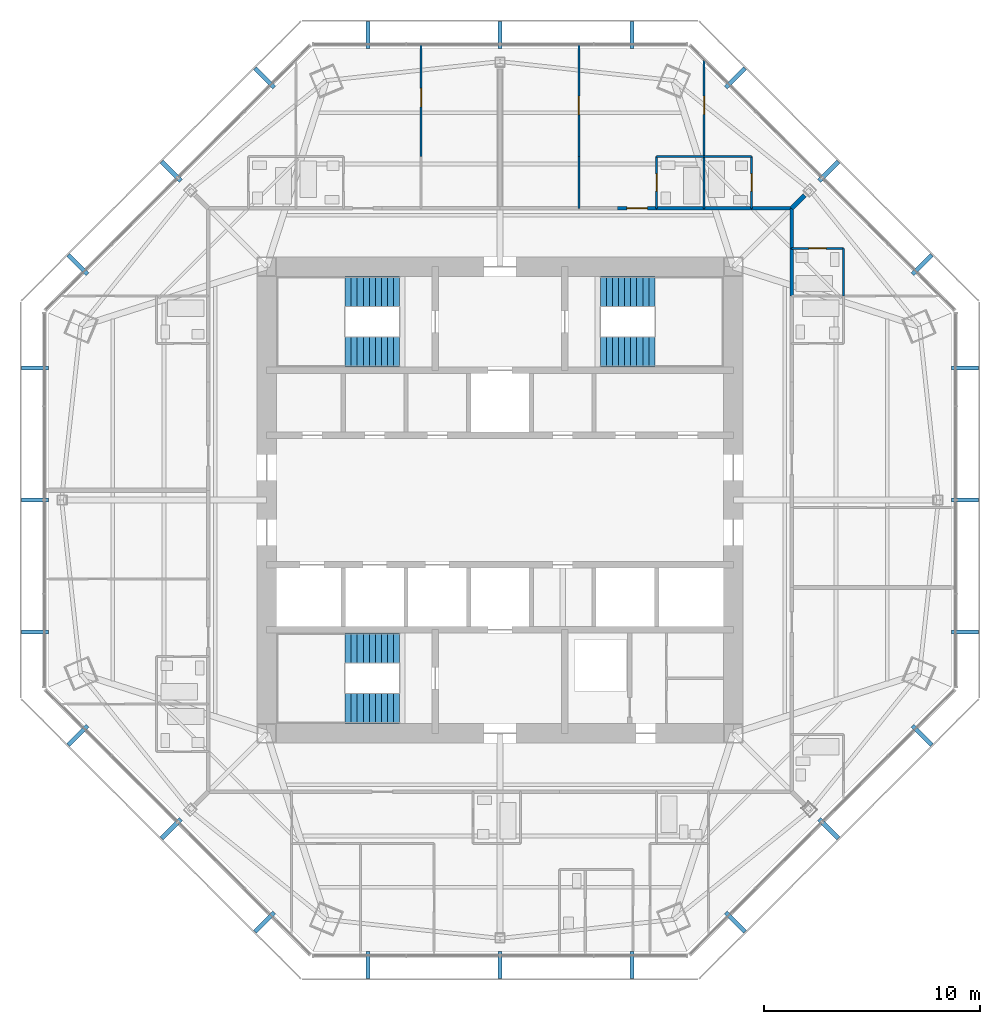
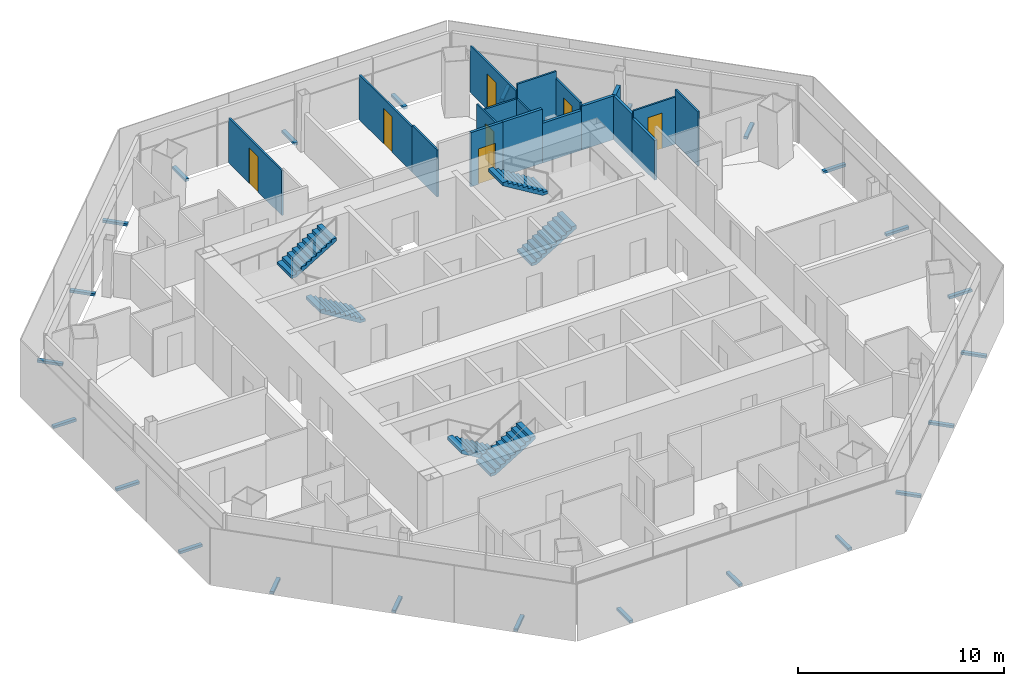
# One storey, part 12 of 14: 24 discrete accessories, 18 walls, 7 doors, 6 stair flights, 7 openings, 3 elements without a shape of their own.
"""IFC4 building model written with IfcOpenShell, lengths in metres."""

from ifc_helpers import new_model, si_unit, direction, frame, frame_2d, origin, origin_2d, place, context, subcontext, project, spatial, polyline, rectangle, outline, extrude, source, transform, mapped, material, layer, layer_set, type_object, type_shapes, element, fill, aggregate, save


model = new_model("IFC4")

# Units and contexts
model_context = context("Model", 3, precision=1e-05, world=origin(), true_north=direction((0.0, 1.0)))
body_context = subcontext(model_context, "Body", "Model", "MODEL_VIEW")
ifc_project = project(units=[si_unit("LENGTHUNIT", "METRE"), si_unit("AREAUNIT", "SQUARE_METRE"), si_unit("VOLUMEUNIT", "CUBIC_METRE"), si_unit("PLANEANGLEUNIT", "RADIAN"), si_unit("MASSUNIT", "GRAM", prefix="KILO")], contexts=[model_context])

# Site, building, storey
site_placement = place(None, origin())
site = spatial("IfcSite", under=ifc_project, at=site_placement, CompositionType="ELEMENT")
building_placement = place(site_placement, origin())
building = spatial("IfcBuilding", under=site, at=building_placement, Name="Mashrafa Tower", CompositionType="ELEMENT")
storey_placement = place(building_placement, frame((0.0, 0.0, 244.800048828125)))
storey = spatial("IfcBuildingStorey", under=building, at=storey_placement, Name="L58", CompositionType="ELEMENT", Elevation=244.800048828125)

# Walls
ifc_material_1 = material(Name="Gypsum board on steel studs", Category="steel")
ifc_layer_1 = layer(ifc_material_1, 0.199951171875)
ifc_layer_set_1 = layer_set([ifc_layer_1], Name="Acoustic partition 200 1 hr")
wall_type_1 = type_object("IfcWallType", Name="Acoustic partition 200 1 hr", PredefinedType="PARTITIONING", material=ifc_layer_set_1)
wall_1_placement = place(storey_placement, frame((14.1064453125, 14.1064453125, 0.0), z_axis=(0.0, 0.0, 1.0), x_axis=(-0.707106781187, -0.707106781187, 0.0)))
element("IfcWall", 1, at=wall_1_placement, inside=storey, type_object=wall_type_1, Name="Acoustic wall L58-050", PredefinedType="PARTITIONING", context=body_context, shape_type="SweptSolid", body=[
    extrude(rectangle(XDim=0.857666015625, YDim=0.199951171875, at=frame_2d((0.4287109375, 0.0))), origin(), (0.0, 0.0, 1.0), 2.587890625),
])
ifc_material_2 = material(Name="Gypsum board on steel studs", Category="steel")
ifc_layer_2 = layer(ifc_material_2, 0.14990234375)
ifc_layer_set_2 = layer_set([ifc_layer_2], Name="Corridor partition 150 1 hr")
wall_type_2 = type_object("IfcWallType", Name="Corridor partition 150 1 hr", PredefinedType="PARTITIONING", material=ifc_layer_set_2)
wall_2_placement = place(storey_placement, frame((13.5, 9.448974609375, 0.0), z_axis=(0.0, 0.0, 1.0), x_axis=(0.0, 1.0, 0.0)))
element("IfcWall", 2, at=wall_2_placement, inside=storey, type_object=wall_type_2, Name="Corridor wall L58-005", PredefinedType="PARTITIONING", context=body_context, shape_type="SweptSolid", body=[
    extrude(rectangle(XDim=2.201904296875, YDim=0.14990234375, at=frame_2d((1.10107421875, 0.0))), origin(), (0.0, 0.0, 1.0), 2.349365234375),
])
wall_3_placement = place(storey_placement, frame((13.5, 11.64892578125, 0.0), z_axis=(0.0, 0.0, 1.0), x_axis=(0.0, 1.0, 0.0)))
element("IfcWall", 3, at=wall_3_placement, inside=storey, type_object=wall_type_2, Name="Corridor wall L58-006", PredefinedType="PARTITIONING", context=body_context, shape_type="SweptSolid", body=[
    extrude(rectangle(XDim=1.85107421875, YDim=0.14990234375, at=frame_2d((0.925537109375, 0.0))), origin(), (0.0, 0.0, 1.0), 2.587890625),
])
wall_4_placement = place(storey_placement, frame((11.65087890625, 13.5, 0.0), z_axis=(0.0, 0.0, 1.0), x_axis=(-1.0, 0.0, 0.0)))
element("IfcWall", 4, at=wall_4_placement, inside=storey, type_object=wall_type_2, Name="Corridor wall L58-012", PredefinedType="PARTITIONING", context=body_context, shape_type="SweptSolid", body=[
    extrude(rectangle(XDim=2.201904296875, YDim=0.14990234375, at=frame_2d((1.10107421875, 0.0))), origin(), (0.0, 0.0, 1.0), 2.349365234375),
])
wall_5_placement = place(storey_placement, frame((13.5, 13.5, 0.0), z_axis=(0.0, 0.0, 1.0), x_axis=(-1.0, 0.0, 0.0)))
element("IfcWall", 5, at=wall_5_placement, inside=storey, type_object=wall_type_2, Name="Corridor wall L58-013", PredefinedType="PARTITIONING", context=body_context, shape_type="SweptSolid", body=[
    extrude(rectangle(XDim=1.85107421875, YDim=0.14990234375, at=frame_2d((0.925537109375, 0.0))), origin(), (0.0, 0.0, 1.0), 2.587890625),
])
wall_6_placement = place(storey_placement, frame((9.450927734375, 13.5, 0.0), z_axis=(0.0, 0.0, 1.0), x_axis=(-1.0, 0.0, 0.0)))
element("IfcWall", 6, at=wall_6_placement, inside=storey, type_object=wall_type_2, Name="Corridor wall L58-014", PredefinedType="PARTITIONING", context=body_context, shape_type="SweptSolid", body=[
    extrude(rectangle(XDim=2.201904296875, YDim=0.14990234375, at=frame_2d((1.10107421875, 0.0))), origin(), (0.0, 0.0, 1.0), 3.199951171875),
])

# Wall, opening, door
wall_7_placement = place(storey_placement, frame((7.2509765625, 13.5, 0.0), z_axis=(0.0, 0.0, 1.0), x_axis=(-1.0, 0.0, 0.0)))
wall_7 = element("IfcWall", 7, at=wall_7_placement, inside=storey, type_object=wall_type_2, Name="Corridor wall L58-017", PredefinedType="PARTITIONING", context=body_context, shape_type="SweptSolid", body=[
    extrude(rectangle(XDim=1.802001953125, YDim=0.14990234375, at=frame_2d((0.90087890625, 0.0))), origin(), (0.0, 0.0, 1.0), 3.199951171875),
])
opening_1_placement = place(wall_7_placement, frame((0.426025390625, 0.0, 0.0)))
opening_1 = element("IfcOpeningElement", 8, at=opening_1_placement, cuts=wall_7, Name="Opening 58.012", PredefinedType="OPENING", context=body_context, shape_type="SweptSolid", body=[
    extrude(rectangle(XDim=0.949951171875, YDim=2.10009765625, at=frame_2d((0.47509765625, 1.050048828125))), frame((0.0, 0.0849609375, 0.0), z_axis=(0.0, -1.0, 0.0), x_axis=(1.0, 0.0, 0.0)), (0.0, 0.0, 1.0), 0.169921875),
])
ifc_material_3 = material(Name="Steel door", Category="steel")
door_type_1 = type_object("IfcDoorType", Name="Residence entrance door 950 x 2100 20 min", OperationType="USERDEFINED", PredefinedType="DOOR", material=ifc_material_3)
door_1_placement = place(opening_1_placement, frame((0.949951171875, 0.0, 0.0), z_axis=(0.0, 0.0, 1.0), x_axis=(-1.0, 0.0, 0.0)))
door_1 = element("IfcDoor", 9, at=door_1_placement, inside=storey, type_object=door_type_1, Name="Apartment 5803 Living Room door", OperationType="SINGLE_SWING_LEFT", OverallHeight=2.10009765625, OverallWidth=0.949951171875, PredefinedType="DOOR", context=body_context, shape_type="SweptSolid", body=[
    extrude(rectangle(XDim=0.949951171875, YDim=2.10009765625, at=frame_2d((0.47509765625, 1.050048828125))), frame((0.0, 0.02490234375, 0.0), z_axis=(0.0, -1.0, 0.0), x_axis=(1.0, 0.0, 0.0)), (0.0, 0.0, 1.0), 0.050048828125),
])
fill(opening_1, door_1)

# Wall
ifc_material_4 = material(Name="Gypsum board on steel studs", Category="steel")
ifc_layer_3 = layer(ifc_material_4, 0.10009765625)
ifc_layer_set_3 = layer_set([ifc_layer_3], Name="Partition 100")
wall_type_3 = type_object("IfcWallType", Name="Partition 100", PredefinedType="PARTITIONING", material=ifc_layer_set_3)
wall_8_placement = place(storey_placement, frame((15.89990234375, 9.449951171875, 0.0), z_axis=(0.0, 0.0, 1.0), x_axis=(0.0, 1.0, 0.0)))
element("IfcWall", 10, at=wall_8_placement, inside=storey, type_object=wall_type_3, Name="Partition wall L58-046", PredefinedType="PARTITIONING", context=body_context, shape_type="SweptSolid", body=[
    extrude(rectangle(XDim=2.199951171875, YDim=0.10009765625, at=frame_2d((1.10009765625, 0.0))), origin(), (0.0, 0.0, 1.0), 3.199951171875),
])

# Wall, opening, door
wall_9_placement = place(storey_placement, frame((15.89990234375, 11.64990234375, 0.0), z_axis=(0.0, 0.0, 1.0), x_axis=(-1.0, 0.0, 0.0)))
wall_9 = element("IfcWall", 11, at=wall_9_placement, inside=storey, type_object=wall_type_3, Name="Partition wall L58-047", PredefinedType="PARTITIONING", context=body_context, shape_type="SweptSolid", body=[
    extrude(rectangle(XDim=2.39990234375, YDim=0.10009765625, at=frame_2d((1.199951171875, 0.0))), origin(), (0.0, 0.0, 1.0), 2.7861328125),
])
opening_2_placement = place(wall_9_placement, frame((0.800048828125, 0.0, 0.0)))
opening_2 = element("IfcOpeningElement", 12, at=opening_2_placement, cuts=wall_9, Name="Opening 58.003", PredefinedType="OPENING", context=body_context, shape_type="SweptSolid", body=[
    extrude(rectangle(XDim=0.800048828125, YDim=2.10009765625, at=frame_2d((0.39990234375, 1.050048828125))), frame((0.0, 0.06005859375, 0.0), z_axis=(0.0, -1.0, 0.0), x_axis=(1.0, 0.0, 0.0)), (0.0, 0.0, 1.0), 0.1201171875),
])
ifc_material_5 = material(Name="Timber door", Category="wood")
door_type_2 = type_object("IfcDoorType", Name="Bathroom door 800 x 2100", OperationType="USERDEFINED", PredefinedType="DOOR", material=ifc_material_5)
door_2_placement = place(opening_2_placement, origin())
door_2 = element("IfcDoor", 13, at=door_2_placement, inside=storey, type_object=door_type_2, Name="Apartment 5802 En-suite Bathroom door", OperationType="SINGLE_SWING_LEFT", OverallHeight=2.10009765625, OverallWidth=0.800048828125, PredefinedType="DOOR", context=body_context, shape_type="SweptSolid", body=[
    extrude(rectangle(XDim=0.800048828125, YDim=2.10009765625, at=frame_2d((0.39990234375, 1.050048828125))), frame((0.0, 0.02490234375, 0.0), z_axis=(0.0, -1.0, 0.0), x_axis=(1.0, 0.0, 0.0)), (0.0, 0.0, 1.0), 0.050048828125),
])
fill(opening_2, door_2)

wall_10_placement = place(storey_placement, frame((11.64990234375, 13.5, 0.0), z_axis=(0.0, 0.0, 1.0), x_axis=(0.0, 1.0, 0.0)))
wall_10 = element("IfcWall", 14, at=wall_10_placement, inside=storey, type_object=wall_type_3, Name="Partition wall L58-054", PredefinedType="PARTITIONING", context=body_context, shape_type="SweptSolid", body=[
    extrude(rectangle(XDim=2.39990234375, YDim=0.10009765625, at=frame_2d((1.199951171875, 0.0))), origin(), (0.0, 0.0, 1.0), 2.7861328125),
])
opening_3_placement = place(wall_10_placement, frame((0.800048828125, 0.0, 0.0)))
opening_3 = element("IfcOpeningElement", 15, at=opening_3_placement, cuts=wall_10, Name="Opening 58.008", PredefinedType="OPENING", context=body_context, shape_type="SweptSolid", body=[
    extrude(rectangle(XDim=0.800048828125, YDim=2.10009765625, at=frame_2d((0.39990234375, 1.050048828125))), frame((0.0, 0.06005859375, 0.0), z_axis=(0.0, -1.0, 0.0), x_axis=(1.0, 0.0, 0.0)), (0.0, 0.0, 1.0), 0.1201171875),
])
door_3_placement = place(opening_3_placement, origin())
door_3 = element("IfcDoor", 16, at=door_3_placement, inside=storey, type_object=door_type_2, Name="Apartment 5803 En-suite Bathroom door", OperationType="SINGLE_SWING_RIGHT", OverallHeight=2.10009765625, OverallWidth=0.800048828125, PredefinedType="DOOR", context=body_context, shape_type="SweptSolid", body=[
    extrude(rectangle(XDim=0.800048828125, YDim=2.10009765625, at=frame_2d((0.39990234375, 1.050048828125))), frame((0.0, 0.02490234375, 0.0), z_axis=(0.0, -1.0, 0.0), x_axis=(1.0, 0.0, 0.0)), (0.0, 0.0, 1.0), 0.050048828125),
])
fill(opening_3, door_3)

# Walls
wall_11_placement = place(storey_placement, frame((11.64990234375, 15.89990234375, 0.0), z_axis=(0.0, 0.0, 1.0), x_axis=(-1.0, 0.0, 0.0)))
element("IfcWall", 17, at=wall_11_placement, inside=storey, type_object=wall_type_3, Name="Partition wall L58-055", PredefinedType="PARTITIONING", context=body_context, shape_type="SweptSolid", body=[
    extrude(rectangle(XDim=2.199951171875, YDim=0.10009765625, at=frame_2d((1.10009765625, 0.0))), origin(), (0.0, 0.0, 1.0), 3.199951171875),
])
wall_12_placement = place(storey_placement, frame((9.449951171875, 15.89990234375, 0.0), z_axis=(0.0, 0.0, 1.0), x_axis=(0.0, -1.0, 0.0)))
element("IfcWall", 18, at=wall_12_placement, inside=storey, type_object=wall_type_3, Name="Partition wall L58-056", PredefinedType="PARTITIONING", context=body_context, shape_type="SweptSolid", body=[
    extrude(rectangle(XDim=2.39990234375, YDim=0.10009765625, at=frame_2d((1.199951171875, 0.0))), origin(), (0.0, 0.0, 1.0), 2.349365234375),
])

# Wall, opening, door
wall_13_placement = place(storey_placement, frame((9.449951171875, 20.353515625, 0.0), z_axis=(0.0, 0.0, 1.0), x_axis=(0.0, -1.0, 0.0)))
wall_13 = element("IfcWall", 19, at=wall_13_placement, inside=storey, type_object=wall_type_3, Name="Partition wall L58-057", PredefinedType="PARTITIONING", context=body_context, shape_type="SweptSolid", body=[
    extrude(rectangle(XDim=4.45361328125, YDim=0.10009765625, at=frame_2d((2.226806640625, 0.0))), origin(), (0.0, 0.0, 1.0), 2.783447265625),
])
opening_4_placement = place(wall_13_placement, frame((1.655029296875, 0.0, 0.0)))
opening_4 = element("IfcOpeningElement", 20, at=opening_4_placement, cuts=wall_13, Name="Opening 58.009", PredefinedType="OPENING", context=body_context, shape_type="SweptSolid", body=[
    extrude(rectangle(XDim=0.85009765625, YDim=2.10009765625, at=frame_2d((0.425048828125, 1.050048828125))), frame((0.0, 0.06005859375, 0.0), z_axis=(0.0, -1.0, 0.0), x_axis=(1.0, 0.0, 0.0)), (0.0, 0.0, 1.0), 0.1201171875),
])
ifc_material_6 = material(Name="Timber door", Category="wood")
door_type_3 = type_object("IfcDoorType", Name="Bedroom door 850 x 2100", OperationType="USERDEFINED", PredefinedType="DOOR", material=ifc_material_6)
door_4_placement = place(opening_4_placement, origin())
door_4 = element("IfcDoor", 21, at=door_4_placement, inside=storey, type_object=door_type_3, Name="Apartment 5803 Bedroom 1 door", OperationType="SINGLE_SWING_LEFT", OverallHeight=2.10009765625, OverallWidth=0.85009765625, PredefinedType="DOOR", context=body_context, shape_type="SweptSolid", body=[
    extrude(rectangle(XDim=0.85009765625, YDim=2.10009765625, at=frame_2d((0.425048828125, 1.050048828125))), frame((0.0, 0.02490234375, 0.0), z_axis=(0.0, -1.0, 0.0), x_axis=(1.0, 0.0, 0.0)), (0.0, 0.0, 1.0), 0.050048828125),
])
fill(opening_4, door_4)

# Wall
wall_14_placement = place(storey_placement, frame((9.449951171875, 15.89990234375, 0.0), z_axis=(0.0, 0.0, 1.0), x_axis=(-1.0, 0.0, 0.0)))
element("IfcWall", 22, at=wall_14_placement, inside=storey, type_object=wall_type_3, Name="Partition wall L58-058", PredefinedType="PARTITIONING", context=body_context, shape_type="SweptSolid", body=[
    extrude(rectangle(XDim=2.199951171875, YDim=0.10009765625, at=frame_2d((1.10009765625, 0.0))), origin(), (0.0, 0.0, 1.0), 2.349365234375),
])

# Wall, opening, door
wall_15_placement = place(storey_placement, frame((7.25, 15.89990234375, 0.0), z_axis=(0.0, 0.0, 1.0), x_axis=(0.0, -1.0, 0.0)))
wall_15 = element("IfcWall", 23, at=wall_15_placement, inside=storey, type_object=wall_type_3, Name="Partition wall L58-059", PredefinedType="PARTITIONING", context=body_context, shape_type="SweptSolid", body=[
    extrude(rectangle(XDim=2.39990234375, YDim=0.10009765625, at=frame_2d((1.199951171875, 0.0))), origin(), (0.0, 0.0, 1.0), 2.783447265625),
])
opening_5_placement = place(wall_15_placement, frame((0.800048828125, 0.0, 0.0)))
opening_5 = element("IfcOpeningElement", 24, at=opening_5_placement, cuts=wall_15, Name="Opening 58.010", PredefinedType="OPENING", context=body_context, shape_type="SweptSolid", body=[
    extrude(rectangle(XDim=0.800048828125, YDim=2.10009765625, at=frame_2d((0.39990234375, 1.050048828125))), frame((0.0, 0.06005859375, 0.0), z_axis=(0.0, -1.0, 0.0), x_axis=(1.0, 0.0, 0.0)), (0.0, 0.0, 1.0), 0.1201171875),
])
door_5_placement = place(opening_5_placement, origin())
door_5 = element("IfcDoor", 25, at=door_5_placement, inside=storey, type_object=door_type_2, Name="Apartment 5803 Bathroom door", OperationType="SINGLE_SWING_LEFT", OverallHeight=2.10009765625, OverallWidth=0.800048828125, PredefinedType="DOOR", context=body_context, shape_type="SweptSolid", body=[
    extrude(rectangle(XDim=0.800048828125, YDim=2.10009765625, at=frame_2d((0.39990234375, 1.050048828125))), frame((0.0, 0.02490234375, 0.0), z_axis=(0.0, -1.0, 0.0), x_axis=(1.0, 0.0, 0.0)), (0.0, 0.0, 1.0), 0.050048828125),
])
fill(opening_5, door_5)

# Wall
wall_16_placement = place(storey_placement, frame((3.64990234375, 15.89990234375, 0.0), z_axis=(0.0, 0.0, 1.0), x_axis=(0.0, -1.0, 0.0)))
element("IfcWall", 26, at=wall_16_placement, inside=storey, type_object=wall_type_3, Name="Partition wall L58-060", PredefinedType="PARTITIONING", context=body_context, shape_type="SweptSolid", body=[
    extrude(rectangle(XDim=2.39990234375, YDim=0.10009765625, at=frame_2d((1.199951171875, 0.0))), origin(), (0.0, 0.0, 1.0), 2.783447265625),
])

# Wall, opening, door
wall_17_placement = place(storey_placement, frame((3.64990234375, 15.89892578125, 0.0), z_axis=(0.0, 0.0, 1.0), x_axis=(0.0, 1.0, 0.0)))
wall_17 = element("IfcWall", 27, at=wall_17_placement, inside=storey, type_object=wall_type_3, Name="Partition wall L58-061", PredefinedType="PARTITIONING", context=body_context, shape_type="SweptSolid", body=[
    extrude(rectangle(XDim=5.1748046875, YDim=0.10009765625, at=frame_2d((2.58740234375, 0.0))), origin(), (0.0, 0.0, 1.0), 2.66162109375),
])
opening_6_placement = place(wall_17_placement, frame((1.9453125, 0.0, 0.0)))
opening_6 = element("IfcOpeningElement", 28, at=opening_6_placement, cuts=wall_17, Name="Opening 58.011", PredefinedType="OPENING", context=body_context, shape_type="SweptSolid", body=[
    extrude(rectangle(XDim=0.85009765625, YDim=2.10009765625, at=frame_2d((0.425048828125, 1.050048828125))), frame((0.0, 0.06005859375, 0.0), z_axis=(0.0, -1.0, 0.0), x_axis=(1.0, 0.0, 0.0)), (0.0, 0.0, 1.0), 0.1201171875),
])
door_6_placement = place(opening_6_placement, origin())
door_6 = element("IfcDoor", 29, at=door_6_placement, inside=storey, type_object=door_type_3, Name="Apartment 5803 Bedroom 2 door", OperationType="SINGLE_SWING_RIGHT", OverallHeight=2.10009765625, OverallWidth=0.85009765625, PredefinedType="DOOR", context=body_context, shape_type="SweptSolid", body=[
    extrude(rectangle(XDim=0.85009765625, YDim=2.10009765625, at=frame_2d((0.425048828125, 1.050048828125))), frame((0.0, 0.02490234375, 0.0), z_axis=(0.0, -1.0, 0.0), x_axis=(1.0, 0.0, 0.0)), (0.0, 0.0, 1.0), 0.050048828125),
])
fill(opening_6, door_6)

wall_18_placement = place(storey_placement, frame((-3.64990234375, 21.07373046875, 0.0), z_axis=(0.0, 0.0, 1.0), x_axis=(0.0, -1.0, 0.0)))
wall_18 = element("IfcWall", 30, at=wall_18_placement, inside=storey, type_object=wall_type_3, Name="Partition wall L58-071", PredefinedType="PARTITIONING", context=body_context, shape_type="SweptSolid", body=[
    extrude(rectangle(XDim=5.1748046875, YDim=0.10009765625, at=frame_2d((2.58740234375, 0.0))), origin(), (0.0, 0.0, 1.0), 2.66162109375),
])
opening_7_placement = place(wall_18_placement, frame((2.0244140625, 0.0, 0.0)))
opening_7 = element("IfcOpeningElement", 31, at=opening_7_placement, cuts=wall_18, Name="Opening 58.016", PredefinedType="OPENING", context=body_context, shape_type="SweptSolid", body=[
    extrude(rectangle(XDim=0.85009765625, YDim=2.10009765625, at=frame_2d((0.425048828125, 1.050048828125))), frame((0.0, 0.06005859375, 0.0), z_axis=(0.0, -1.0, 0.0), x_axis=(1.0, 0.0, 0.0)), (0.0, 0.0, 1.0), 0.1201171875),
])
door_7_placement = place(opening_7_placement, origin())
door_7 = element("IfcDoor", 32, at=door_7_placement, inside=storey, type_object=door_type_3, Name="Apartment 5804 Bedroom 2 door", OperationType="SINGLE_SWING_LEFT", OverallHeight=2.10009765625, OverallWidth=0.85009765625, PredefinedType="DOOR", context=body_context, shape_type="SweptSolid", body=[
    extrude(rectangle(XDim=0.85009765625, YDim=2.10009765625, at=frame_2d((0.425048828125, 1.050048828125))), frame((0.0, 0.02490234375, 0.0), z_axis=(0.0, -1.0, 0.0), x_axis=(1.0, 0.0, 0.0)), (0.0, 0.0, 1.0), 0.050048828125),
])
fill(opening_7, door_7)

# Stair, stair flights
ifc_material_7 = material(Name="Exit stair 1400")
stair_type = type_object("IfcStairType", Name="Exit stair 1400", PredefinedType="HALF_TURN_STAIR", material=ifc_material_7)
stair_1_placement = place(storey_placement, origin())
stair_1 = element("IfcStair", 33, at=stair_1_placement, inside=storey, type_object=stair_type, Name="Stair S1 L58", PredefinedType="HALF_TURN_STAIR")
ifc_material_8 = material(Name="Concrete C32/40", Category="concrete")
stair_flight_type = type_object("IfcStairFlightType", Name="Stair flight 1400", PredefinedType="STRAIGHT", material=ifc_material_8)
stair_flight_1_placement = place(storey_placement, frame((-4.64990234375, 6.85009765625, 0.0), z_axis=(0.0, 0.0, 1.0), x_axis=(-1.0, 0.0, 0.0)))
stair_flight_1 = element("IfcStairFlight", 34, at=stair_flight_1_placement, type_object=stair_flight_type, Name="S1 flight 1", NumberOfRisers=10, NumberOfTreads=9, PredefinedType="STRAIGHT", RiserHeight=0.17, TreadLength=0.28, context=body_context, shape_type="SweptSolid", body=[
    extrude(outline(polyline([(0.0, 0.0), (0.0, 0.169921875), (0.280029296875, 0.169921875), (0.280029296875, 0.340087890625), (0.56005859375, 0.340087890625), (0.56005859375, 0.510009765625), (0.840087890625, 0.510009765625), (0.840087890625, 0.679931640625), (1.1201171875, 0.679931640625), (1.1201171875, 0.85009765625), (1.39990234375, 0.85009765625), (1.39990234375, 1.02001953125), (1.679931640625, 1.02001953125), (1.679931640625, 1.18994140625), (1.9599609375, 1.18994140625), (1.9599609375, 1.360107421875), (2.239990234375, 1.360107421875), (2.239990234375, 1.530029296875), (2.52001953125, 1.530029296875), (2.52001953125, 1.699951171875), (2.52001953125, 1.354736328125), (0.288818359375, 0.0), (0.0, 0.0)])), frame((0.0, 0.699951171875, 0.0), z_axis=(0.0, -1.0, 0.0), x_axis=(1.0, 0.0, 0.0)), (0.0, 0.0, 1.0), 1.39990234375),
])
stair_flight_2_placement = place(storey_placement, frame((-7.169921875, 9.64990234375, 1.699951171875), z_axis=(0.0, 0.0, 1.0), x_axis=(1.0, 0.0, 0.0)))
stair_flight_2 = element("IfcStairFlight", 35, at=stair_flight_2_placement, type_object=stair_flight_type, Name="S1 flight 2", NumberOfRisers=10, NumberOfTreads=9, PredefinedType="STRAIGHT", RiserHeight=0.17, TreadLength=0.28, context=body_context, shape_type="SweptSolid", body=[
    extrude(outline(polyline([(0.0, 0.0), (0.0, 0.169921875), (0.280029296875, 0.169921875), (0.280029296875, 0.340087890625), (0.56005859375, 0.340087890625), (0.56005859375, 0.510009765625), (0.840087890625, 0.510009765625), (0.840087890625, 0.679931640625), (1.1201171875, 0.679931640625), (1.1201171875, 0.85009765625), (1.39990234375, 0.85009765625), (1.39990234375, 1.02001953125), (1.679931640625, 1.02001953125), (1.679931640625, 1.18994140625), (1.9599609375, 1.18994140625), (1.9599609375, 1.360107421875), (2.239990234375, 1.360107421875), (2.239990234375, 1.530029296875), (2.52001953125, 1.530029296875), (2.52001953125, 1.699951171875), (2.52001953125, 1.354736328125), (0.288818359375, 0.0), (0.0, 0.0)])), frame((0.0, 0.699951171875, 0.0), z_axis=(0.0, -1.0, 0.0), x_axis=(1.0, 0.0, 0.0)), (0.0, 0.0, 1.0), 1.39990234375),
])
aggregate(stair_1, [stair_flight_1, stair_flight_2])

stair_2_placement = place(storey_placement, origin())
stair_2 = element("IfcStair", 36, at=stair_2_placement, inside=storey, type_object=stair_type, Name="Stair S2 L58", PredefinedType="HALF_TURN_STAIR")
stair_flight_3_placement = place(storey_placement, frame((4.64990234375, 6.85009765625, 0.0), z_axis=(0.0, 0.0, 1.0), x_axis=(1.0, 0.0, 0.0)))
stair_flight_3 = element("IfcStairFlight", 37, at=stair_flight_3_placement, type_object=stair_flight_type, Name="S2 flight 1", NumberOfRisers=10, NumberOfTreads=9, PredefinedType="STRAIGHT", RiserHeight=0.17, TreadLength=0.28, context=body_context, shape_type="SweptSolid", body=[
    extrude(outline(polyline([(0.0, 0.0), (0.0, 0.169921875), (0.280029296875, 0.169921875), (0.280029296875, 0.340087890625), (0.56005859375, 0.340087890625), (0.56005859375, 0.510009765625), (0.840087890625, 0.510009765625), (0.840087890625, 0.679931640625), (1.1201171875, 0.679931640625), (1.1201171875, 0.85009765625), (1.39990234375, 0.85009765625), (1.39990234375, 1.02001953125), (1.679931640625, 1.02001953125), (1.679931640625, 1.18994140625), (1.9599609375, 1.18994140625), (1.9599609375, 1.360107421875), (2.239990234375, 1.360107421875), (2.239990234375, 1.530029296875), (2.52001953125, 1.530029296875), (2.52001953125, 1.699951171875), (2.52001953125, 1.354736328125), (0.288818359375, 0.0), (0.0, 0.0)])), frame((0.0, 0.699951171875, 0.0), z_axis=(0.0, -1.0, 0.0), x_axis=(1.0, 0.0, 0.0)), (0.0, 0.0, 1.0), 1.39990234375),
])
stair_flight_4_placement = place(storey_placement, frame((7.169921875, 9.64990234375, 1.699951171875), z_axis=(0.0, 0.0, 1.0), x_axis=(-1.0, 0.0, 0.0)))
stair_flight_4 = element("IfcStairFlight", 38, at=stair_flight_4_placement, type_object=stair_flight_type, Name="S2 flight 2", NumberOfRisers=10, NumberOfTreads=9, PredefinedType="STRAIGHT", RiserHeight=0.17, TreadLength=0.28, context=body_context, shape_type="SweptSolid", body=[
    extrude(outline(polyline([(0.0, 0.0), (0.0, 0.169921875), (0.280029296875, 0.169921875), (0.280029296875, 0.340087890625), (0.56005859375, 0.340087890625), (0.56005859375, 0.510009765625), (0.840087890625, 0.510009765625), (0.840087890625, 0.679931640625), (1.1201171875, 0.679931640625), (1.1201171875, 0.85009765625), (1.39990234375, 0.85009765625), (1.39990234375, 1.02001953125), (1.679931640625, 1.02001953125), (1.679931640625, 1.18994140625), (1.9599609375, 1.18994140625), (1.9599609375, 1.360107421875), (2.239990234375, 1.360107421875), (2.239990234375, 1.530029296875), (2.52001953125, 1.530029296875), (2.52001953125, 1.699951171875), (2.52001953125, 1.354736328125), (0.288818359375, 0.0), (0.0, 0.0)])), frame((0.0, 0.699951171875, 0.0), z_axis=(0.0, -1.0, 0.0), x_axis=(1.0, 0.0, 0.0)), (0.0, 0.0, 1.0), 1.39990234375),
])
aggregate(stair_2, [stair_flight_3, stair_flight_4])

stair_3_placement = place(storey_placement, origin())
stair_3 = element("IfcStair", 39, at=stair_3_placement, inside=storey, type_object=stair_type, Name="Stair S3 L58", PredefinedType="HALF_TURN_STAIR")
stair_flight_5_placement = place(storey_placement, frame((-4.64990234375, -6.85009765625, 0.0), z_axis=(0.0, 0.0, 1.0), x_axis=(-1.0, 0.0, 0.0)))
stair_flight_5 = element("IfcStairFlight", 40, at=stair_flight_5_placement, type_object=stair_flight_type, Name="S3 flight 1", NumberOfRisers=10, NumberOfTreads=9, PredefinedType="STRAIGHT", RiserHeight=0.17, TreadLength=0.28, context=body_context, shape_type="SweptSolid", body=[
    extrude(outline(polyline([(0.0, 0.0), (0.0, 0.169921875), (0.280029296875, 0.169921875), (0.280029296875, 0.340087890625), (0.56005859375, 0.340087890625), (0.56005859375, 0.510009765625), (0.840087890625, 0.510009765625), (0.840087890625, 0.679931640625), (1.1201171875, 0.679931640625), (1.1201171875, 0.85009765625), (1.39990234375, 0.85009765625), (1.39990234375, 1.02001953125), (1.679931640625, 1.02001953125), (1.679931640625, 1.18994140625), (1.9599609375, 1.18994140625), (1.9599609375, 1.360107421875), (2.239990234375, 1.360107421875), (2.239990234375, 1.530029296875), (2.52001953125, 1.530029296875), (2.52001953125, 1.699951171875), (2.52001953125, 1.354736328125), (0.288818359375, 0.0), (0.0, 0.0)])), frame((0.0, 0.699951171875, 0.0), z_axis=(0.0, -1.0, 0.0), x_axis=(1.0, 0.0, 0.0)), (0.0, 0.0, 1.0), 1.39990234375),
])
stair_flight_6_placement = place(storey_placement, frame((-7.169921875, -9.64990234375, 1.699951171875), z_axis=(0.0, 0.0, 1.0), x_axis=(1.0, 0.0, 0.0)))
stair_flight_6 = element("IfcStairFlight", 41, at=stair_flight_6_placement, type_object=stair_flight_type, Name="S3 flight 2", NumberOfRisers=10, NumberOfTreads=9, PredefinedType="STRAIGHT", RiserHeight=0.17, TreadLength=0.28, context=body_context, shape_type="SweptSolid", body=[
    extrude(outline(polyline([(0.0, 0.0), (0.0, 0.169921875), (0.280029296875, 0.169921875), (0.280029296875, 0.340087890625), (0.56005859375, 0.340087890625), (0.56005859375, 0.510009765625), (0.840087890625, 0.510009765625), (0.840087890625, 0.679931640625), (1.1201171875, 0.679931640625), (1.1201171875, 0.85009765625), (1.39990234375, 0.85009765625), (1.39990234375, 1.02001953125), (1.679931640625, 1.02001953125), (1.679931640625, 1.18994140625), (1.9599609375, 1.18994140625), (1.9599609375, 1.360107421875), (2.239990234375, 1.360107421875), (2.239990234375, 1.530029296875), (2.52001953125, 1.530029296875), (2.52001953125, 1.699951171875), (2.52001953125, 1.354736328125), (0.288818359375, 0.0), (0.0, 0.0)])), frame((0.0, 0.699951171875, 0.0), z_axis=(0.0, -1.0, 0.0), x_axis=(1.0, 0.0, 0.0)), (0.0, 0.0, 1.0), 1.39990234375),
])
aggregate(stair_3, [stair_flight_5, stair_flight_6])

# Discrete accessories
ifc_material_9 = material(Name="Stainless steel screen bracket", Category="steel")
discrete_accessory_type = type_object("IfcDiscreteAccessoryType", Name="Screen support bracket 200 x 150", PredefinedType="BRACKET", material=ifc_material_9)
shared_shape = source(origin(), body_context, "Body", "SweptSolid", [
    extrude(rectangle(XDim=0.199951171875, YDim=1.27001953125, at=origin_2d()), origin(), (0.0, 0.0, 1.0), 0.14990234375),
])
type_shapes(discrete_accessory_type, [shared_shape])
for number, where, z_axis, x_axis, name in (
    (42, (21.524658203125, -6.112548828125, -0.14990234375), (0.0, 0.0, 1.0), (0.0, 1.0, 0.0), "Screen support bracket L58 east 1"),
    (43, (21.524658203125, 0.0, -0.14990234375), (0.0, 0.0, 1.0), (0.0, 1.0, 0.0), "Screen support bracket L58 east 2"),
    (44, (21.524658203125, 6.112548828125, -0.14990234375), (0.0, 0.0, 1.0), (0.0, 1.0, 0.0), "Screen support bracket L58 east 3"),
    (45, (19.54248046875, 10.89794921875, -0.14990234375), (0.0, 0.0, 1.0), (-0.707106781187, 0.707106781187, 0.0), "Screen support bracket L58 north-east 1"),
    (46, (15.22021484375, 15.22021484375, -0.14990234375), (0.0, 0.0, 1.0), (-0.707106781187, 0.707106781187, 0.0), "Screen support bracket L58 north-east 2"),
    (47, (10.89794921875, 19.54248046875, -0.14990234375), (0.0, 0.0, 1.0), (-0.707106781187, 0.707106781187, 0.0), "Screen support bracket L58 north-east 3"),
    (48, (6.112548828125, 21.524658203125, -0.14990234375), (0.0, 0.0, 1.0), (-1.0, 0.0, 0.0), "Screen support bracket L58 north 1"),
    (49, (0.0, 21.524658203125, -0.14990234375), (0.0, 0.0, 1.0), (-1.0, 0.0, 0.0), "Screen support bracket L58 north 2"),
    (50, (-6.112548828125, 21.524658203125, -0.14990234375), (0.0, 0.0, 1.0), (-1.0, 0.0, 0.0), "Screen support bracket L58 north 3"),
    (51, (-10.89794921875, 19.54248046875, -0.14990234375), (0.0, 0.0, 1.0), (-0.707106781187, -0.707106781187, 0.0), "Screen support bracket L58 north-west 1"),
    (52, (-15.22021484375, 15.22021484375, -0.14990234375), (0.0, 0.0, 1.0), (-0.707106781187, -0.707106781187, 0.0), "Screen support bracket L58 north-west 2"),
    (53, (-19.54248046875, 10.89794921875, -0.14990234375), (0.0, 0.0, 1.0), (-0.707106781187, -0.707106781187, 0.0), "Screen support bracket L58 north-west 3"),
    (54, (-21.524658203125, 6.112548828125, -0.14990234375), (0.0, 0.0, 1.0), (0.0, -1.0, 0.0), "Screen support bracket L58 west 1"),
    (55, (-21.524658203125, 0.0, -0.14990234375), (0.0, 0.0, 1.0), (0.0, -1.0, 0.0), "Screen support bracket L58 west 2"),
    (56, (-21.524658203125, -6.112548828125, -0.14990234375), (0.0, 0.0, 1.0), (0.0, -1.0, 0.0), "Screen support bracket L58 west 3"),
    (57, (-19.54248046875, -10.89794921875, -0.14990234375), (0.0, 0.0, 1.0), (0.707106781187, -0.707106781187, 0.0), "Screen support bracket L58 south-west 1"),
    (58, (-15.22021484375, -15.22021484375, -0.14990234375), (0.0, 0.0, 1.0), (0.707106781187, -0.707106781187, 0.0), "Screen support bracket L58 south-west 2"),
    (59, (-10.89794921875, -19.54248046875, -0.14990234375), (0.0, 0.0, 1.0), (0.707106781187, -0.707106781187, 0.0), "Screen support bracket L58 south-west 3"),
    (60, (-6.112548828125, -21.524658203125, -0.14990234375), (0.0, 0.0, 1.0), (1.0, 0.0, 0.0), "Screen support bracket L58 south 1"),
    (61, (0.0, -21.524658203125, -0.14990234375), (0.0, 0.0, 1.0), (1.0, 0.0, 0.0), "Screen support bracket L58 south 2"),
    (62, (6.112548828125, -21.524658203125, -0.14990234375), (0.0, 0.0, 1.0), (1.0, 0.0, 0.0), "Screen support bracket L58 south 3"),
    (63, (10.89794921875, -19.54248046875, -0.14990234375), (0.0, 0.0, 1.0), (0.707106781187, 0.707106781187, 0.0), "Screen support bracket L58 south-east 1"),
    (64, (15.22021484375, -15.22021484375, -0.14990234375), (0.0, 0.0, 1.0), (0.707106781187, 0.707106781187, 0.0), "Screen support bracket L58 south-east 2"),
    (65, (19.54248046875, -10.89794921875, -0.14990234375), (0.0, 0.0, 1.0), (0.707106781187, 0.707106781187, 0.0), "Screen support bracket L58 south-east 3"),
):
    element("IfcDiscreteAccessory", number, at=place(storey_placement, frame(where, z_axis=z_axis, x_axis=x_axis)), inside=storey, type_object=discrete_accessory_type, Name=name, PredefinedType="BRACKET", context=body_context, shape_type="MappedRepresentation", body=[
        mapped(shared_shape, transform((0.0, 0.0, 0.0))),
    ])

save(model, "model.ifc")
